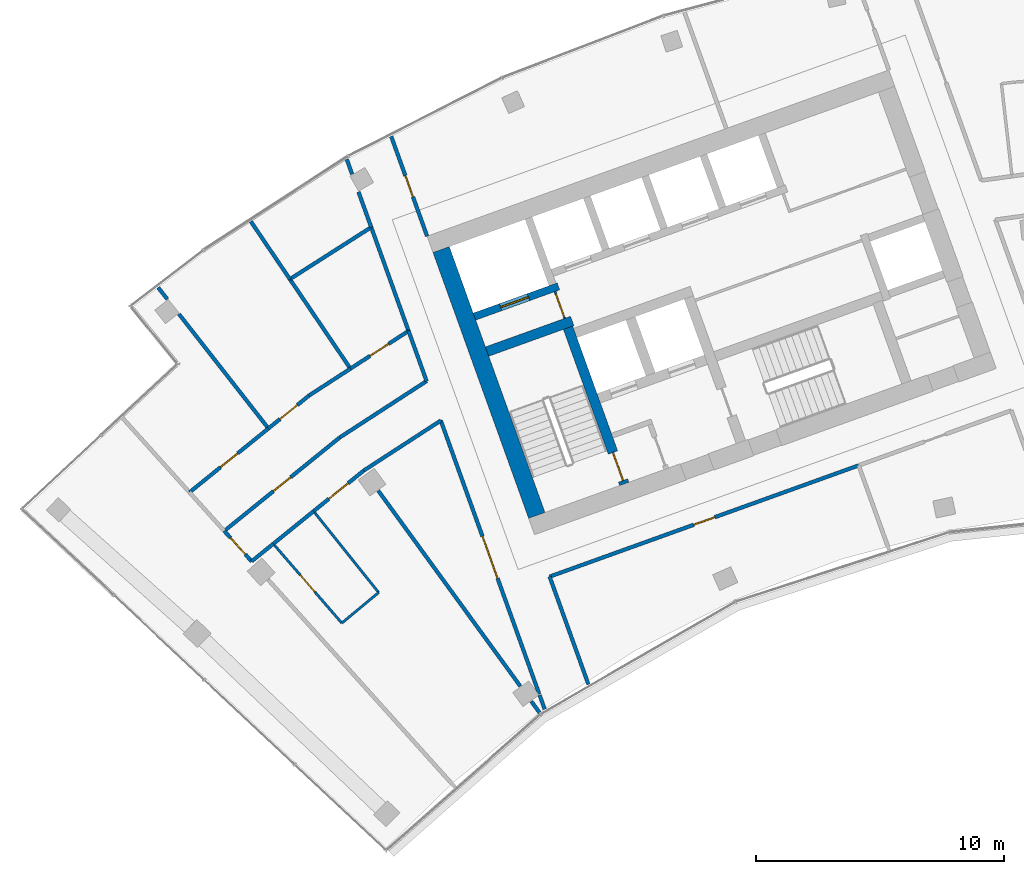
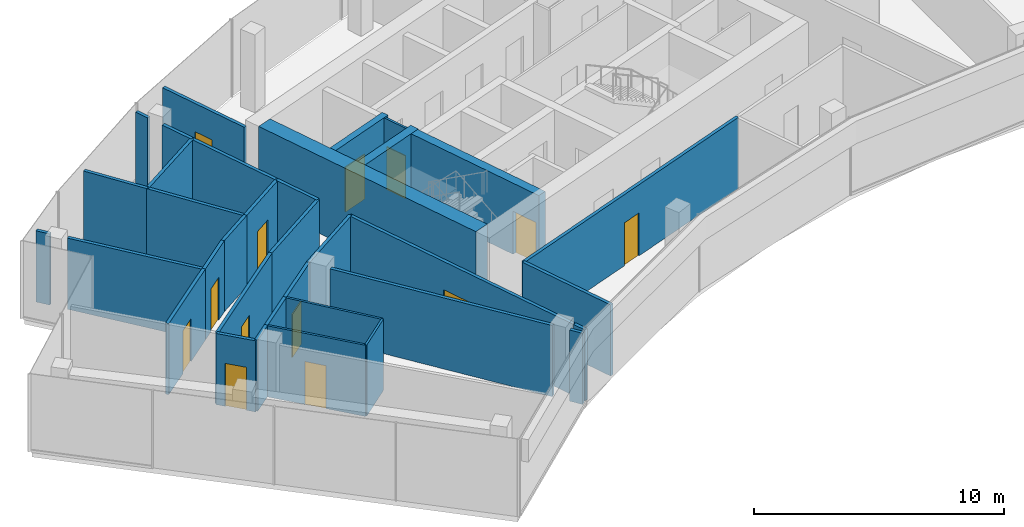
# One storey, part 12 of 18: 35 walls, 13 doors, 13 openings.
"""IFC4 building model written with IfcOpenShell, lengths in metres."""

from ifc_helpers import new_model, si_unit, direction, frame, frame_2d, origin, place, context, subcontext, project, spatial, rectangle, extrude, material, layer, layer_set, type_object, element, fill, save


model = new_model("IFC4")

# Units and contexts
model_context = context("Model", 3, precision=1e-05, world=origin(), true_north=direction((0.0, 1.0)))
body_context = subcontext(model_context, "Body", "Model", "MODEL_VIEW")
ifc_project = project(units=[si_unit("LENGTHUNIT", "METRE"), si_unit("AREAUNIT", "SQUARE_METRE"), si_unit("VOLUMEUNIT", "CUBIC_METRE"), si_unit("PLANEANGLEUNIT", "RADIAN"), si_unit("MASSUNIT", "GRAM", prefix="KILO")], contexts=[model_context])

# Site, building, storey
site_placement = place(None, origin())
site = spatial("IfcSite", under=ifc_project, at=site_placement, CompositionType="ELEMENT")
building_placement = place(site_placement, origin())
building = spatial("IfcBuilding", under=site, at=building_placement, Name="Stone Belt Terrace Tower", CompositionType="ELEMENT")
storey_placement = place(building_placement, frame((0.0, 0.0, 288.39990234375)))
storey = spatial("IfcBuildingStorey", under=building, at=storey_placement, Name="L70", CompositionType="ELEMENT", Elevation=288.39990234375)

# Wall, opening, door
ifc_material_1 = material(Name="Plasterboard partition")
ifc_layer_1 = layer(ifc_material_1, 0.10009765625)
ifc_layer_set_1 = layer_set([ifc_layer_1], Name="Core partition 100")
wall_type_1 = type_object("IfcWallType", Name="Core partition 100", PredefinedType="PARTITIONING", material=ifc_layer_set_1)
wall_1_placement = place(storey_placement, frame((-24.555908203125, 51.10400390625, 0.0), z_axis=(0.0, 0.0, 1.0), x_axis=(-0.338621735342, 0.94092258999, 0.0)))
wall_1 = element("IfcWall", 1, at=wall_1_placement, inside=storey, type_object=wall_type_1, Name="Core A wall", PredefinedType="PARTITIONING", context=body_context, shape_type="SweptSolid", body=[
    extrude(rectangle(XDim=1.14990234375, YDim=0.10009765625, at=frame_2d((0.574951171875, 0.0))), origin(), (0.0, 0.0, 1.0), 3.47998046875),
])
opening_1_placement = place(wall_1_placement, frame((0.050048828125, 0.0, 0.0)))
opening_1 = element("IfcOpeningElement", 2, at=opening_1_placement, cuts=wall_1, Name="Opening L70-C03", PredefinedType="OPENING", context=body_context, shape_type="SweptSolid", body=[
    extrude(rectangle(XDim=1.0, YDim=2.10009765625, at=frame_2d((0.5, 1.050048828125))), frame((0.0, 0.06005859375, 0.0), z_axis=(0.0, -1.0, 0.0), x_axis=(1.0, 0.0, 0.0)), (0.0, 0.0, 1.0), 0.1201171875),
])
ifc_material_2 = material(Name="Timber door leaf", Category="wood")
door_type_1 = type_object("IfcDoorType", Name="Core room door 1000", OperationType="SINGLE_SWING_LEFT", PredefinedType="DOOR", material=ifc_material_2)
door_1_placement = place(opening_1_placement, origin())
door_1 = element("IfcDoor", 3, at=door_1_placement, inside=storey, type_object=door_type_1, Name="Service lift lobby door core A", OperationType="SINGLE_SWING_RIGHT", OverallHeight=2.10009765625, OverallWidth=1.0, PredefinedType="DOOR", context=body_context, shape_type="SweptSolid", body=[
    extrude(rectangle(XDim=1.0, YDim=2.10009765625, at=frame_2d((0.5, 1.050048828125))), frame((0.0, 0.02490234375, 0.0), z_axis=(0.0, -1.0, 0.0), x_axis=(1.0, 0.0, 0.0)), (0.0, 0.0, 1.0), 0.050048828125),
])
fill(opening_1, door_1)

# Wall
ifc_material_3 = material(Name="Concrete B60", Category="concrete")
ifc_layer_2 = layer(ifc_material_3, 0.699951171875)
ifc_layer_set_2 = layer_set([ifc_layer_2], Name="Core wall 700 B60")
wall_type_2 = type_object("IfcWallType", Name="Core wall 700 B60", PredefinedType="SHEAR", material=ifc_layer_set_2)
wall_2_placement = place(storey_placement, frame((-25.679931640625, 43.153564453125, 0.0), z_axis=(0.0, 0.0, 1.0), x_axis=(-0.338625431531, 0.940921259788, 0.0)))
element("IfcWall", 4, at=wall_2_placement, inside=storey, type_object=wall_type_2, Name="Core A wall end_a L70", PredefinedType="SHEAR", context=body_context, shape_type="SweptSolid", body=[
    extrude(rectangle(XDim=11.400146484375, YDim=0.699951171875, at=frame_2d((5.7001953125, 0.0))), origin(), (0.0, 0.0, 1.0), 3.800048828125),
])

# Wall, opening, door
ifc_material_4 = material(Name="Concrete B80", Category="concrete")
ifc_layer_3 = layer(ifc_material_4, 0.300048828125)
ifc_layer_set_3 = layer_set([ifc_layer_3], Name="Lift shaft wall 300")
wall_type_3 = type_object("IfcWallType", Name="Lift shaft wall 300", PredefinedType="SHEAR", material=ifc_layer_set_3)
wall_3_placement = place(storey_placement, frame((-28.195068359375, 51.17578125, 0.0), z_axis=(0.0, 0.0, 1.0), x_axis=(0.940901243567, 0.338681044427, 0.0)))
wall_3 = element("IfcWall", 5, at=wall_3_placement, inside=storey, type_object=wall_type_3, Name="Core A wall", PredefinedType="SHEAR", context=body_context, shape_type="SweptSolid", body=[
    extrude(rectangle(XDim=3.599853515625, YDim=0.300048828125, at=frame_2d((1.7998046875, 0.0))), origin(), (0.0, 0.0, 1.0), 3.47998046875),
])
opening_2_placement = place(wall_3_placement, frame((1.1201171875, 0.0, 0.0)))
opening_2 = element("IfcOpeningElement", 6, at=opening_2_placement, cuts=wall_3, Name="Opening L70-LD07", PredefinedType="OPENING", context=body_context, shape_type="SweptSolid", body=[
    extrude(rectangle(XDim=1.199951171875, YDim=2.199951171875, at=frame_2d((0.60009765625, 1.10009765625))), frame((0.0, 0.159912109375, 0.0), z_axis=(0.0, -1.0, 0.0), x_axis=(1.0, 0.0, 0.0)), (0.0, 0.0, 1.0), 0.320068359375),
])
ifc_material_5 = material(Name="Stainless steel door leaf", Category="steel")
door_type_2 = type_object("IfcDoorType", Name="Landing door 1200", OperationType="SLIDING_TO_LEFT", PredefinedType="DOOR", material=ifc_material_5)
door_2_placement = place(opening_2_placement, origin())
door_2 = element("IfcDoor", 7, at=door_2_placement, inside=storey, type_object=door_type_2, Name="Landing door SV1 core A", OperationType="SLIDING_TO_LEFT", OverallHeight=2.199951171875, OverallWidth=1.199951171875, PredefinedType="DOOR", context=body_context, shape_type="SweptSolid", body=[
    extrude(rectangle(XDim=1.199951171875, YDim=2.199951171875, at=frame_2d((0.60009765625, 1.10009765625))), frame((0.0, 0.02490234375, 0.0), z_axis=(0.0, -1.0, 0.0), x_axis=(1.0, 0.0, 0.0)), (0.0, 0.0, 1.0), 0.050048828125),
])
fill(opening_2, door_2)

ifc_material_6 = material(Name="Gypsum board partition")
ifc_layer_4 = layer(ifc_material_6, 0.10009765625)
ifc_layer_set_4 = layer_set([ifc_layer_4], Name="PARTITION 100")
wall_type_4 = type_object("IfcWallType", Name="PARTITION 100", PredefinedType="PARTITIONING", material=ifc_layer_set_4)
wall_4_placement = place(storey_placement, frame((-36.31396484375, 42.007080078125, 0.0), z_axis=(0.0, 0.0, 1.0), x_axis=(0.654042132121, -0.756458121386, 0.0)))
wall_4 = element("IfcWall", 8, at=wall_4_placement, inside=storey, type_object=wall_type_4, Name="L70/wall/i046", PredefinedType="PARTITIONING", context=body_context, shape_type="SweptSolid", body=[
    extrude(rectangle(XDim=4.22900390625, YDim=0.10009765625, at=frame_2d((2.114501953125, 0.0))), origin(), (0.0, 0.0, 1.0), 3.47998046875),
])
opening_3_placement = place(wall_4_placement, frame((1.66455078125, 0.0, 0.0)))
opening_3 = element("IfcOpeningElement", 9, at=opening_3_placement, cuts=wall_4, Name="Opening D-E3-12", PredefinedType="OPENING", context=body_context, shape_type="SweptSolid", body=[
    extrude(rectangle(XDim=0.89990234375, YDim=2.10009765625, at=frame_2d((0.449951171875, 1.050048828125))), frame((0.0, 0.06005859375, 0.0), z_axis=(0.0, -1.0, 0.0), x_axis=(1.0, 0.0, 0.0)), (0.0, 0.0, 1.0), 0.1201171875),
])
door_type_3 = type_object("IfcDoorType", Name="OFFICE DOOR 900 X 2100", OperationType="NOTDEFINED", PredefinedType="DOOR", material=ifc_material_2)
door_3_placement = place(opening_3_placement, origin())
door_3 = element("IfcDoor", 10, at=door_3_placement, inside=storey, type_object=door_type_3, Name="L70/door/i12", OperationType="SINGLE_SWING_RIGHT", OverallHeight=2.10009765625, OverallWidth=0.89990234375, PredefinedType="DOOR", context=body_context, shape_type="SweptSolid", body=[
    extrude(rectangle(XDim=0.89990234375, YDim=2.10009765625, at=frame_2d((0.449951171875, 1.050048828125))), frame((0.0, 0.02490234375, 0.0), z_axis=(0.0, -1.0, 0.0), x_axis=(1.0, 0.0, 0.0)), (0.0, 0.0, 1.0), 0.050048828125),
])
fill(opening_3, door_3)

# Walls
wall_5_placement = place(storey_placement, frame((-33.548095703125, 38.80810546875, 0.0), z_axis=(0.0, 0.0, 1.0), x_axis=(0.768666471672, 0.639649791157, 0.0)))
element("IfcWall", 11, at=wall_5_placement, inside=storey, type_object=wall_type_4, Name="L70/wall/i047", PredefinedType="PARTITIONING", context=body_context, shape_type="SweptSolid", body=[
    extrude(rectangle(XDim=1.93212890625, YDim=0.10009765625, at=frame_2d((0.966064453125, 0.0))), origin(), (0.0, 0.0, 1.0), 3.47998046875),
])
wall_6_placement = place(storey_placement, frame((-32.06298828125, 40.0439453125, 0.0), z_axis=(0.0, 0.0, 1.0), x_axis=(-0.624950193121, 0.78066462461, 0.0)))
element("IfcWall", 12, at=wall_6_placement, inside=storey, type_object=wall_type_4, Name="L70/wall/i048", PredefinedType="PARTITIONING", context=body_context, shape_type="SweptSolid", body=[
    extrude(rectangle(XDim=4.200439453125, YDim=0.10009765625, at=frame_2d((2.10009765625, 0.0))), origin(), (0.0, 0.0, 1.0), 3.47998046875),
])
ifc_layer_5 = layer(ifc_material_6, 0.14990234375)
ifc_layer_set_5 = layer_set([ifc_layer_5], Name="PARTITION 150 EI 60")
wall_type_5 = type_object("IfcWallType", Name="PARTITION 150 EI 60", PredefinedType="PARTITIONING", material=ifc_layer_set_5)
wall_7_placement = place(storey_placement, frame((-25.1650390625, 40.68896484375, 0.0), z_axis=(0.0, 0.0, 1.0), x_axis=(0.338609342271, -0.94092704995, 0.0)))
element("IfcWall", 13, at=wall_7_placement, inside=storey, type_object=wall_type_5, Name="L70/wall/i001", PredefinedType="PARTITIONING", context=body_context, shape_type="SweptSolid", body=[
    extrude(rectangle(XDim=4.6318359375, YDim=0.14990234375, at=frame_2d((2.31591796875, 0.0))), origin(), (0.0, 0.0, 1.0), 3.47998046875),
])

# Wall, opening, door
wall_8_placement = place(storey_placement, frame((-31.556884765625, 58.4521484375, 0.0), z_axis=(0.0, 0.0, 1.0), x_axis=(0.338580264222, -0.940937513695, 0.0)))
wall_8 = element("IfcWall", 14, at=wall_8_placement, inside=storey, type_object=wall_type_5, Name="L70/wall/i002", PredefinedType="PARTITIONING", context=body_context, shape_type="SweptSolid", body=[
    extrude(rectangle(XDim=4.285400390625, YDim=0.14990234375, at=frame_2d((2.142578125, 0.0))), origin(), (0.0, 0.0, 1.0), 3.47998046875),
])
opening_4_placement = place(wall_8_placement, frame((1.692626953125, 0.0, 0.0)))
opening_4 = element("IfcOpeningElement", 15, at=opening_4_placement, cuts=wall_8, Name="Opening D-E3-03", PredefinedType="OPENING", context=body_context, shape_type="SweptSolid", body=[
    extrude(rectangle(XDim=0.89990234375, YDim=2.10009765625, at=frame_2d((0.449951171875, 1.050048828125))), frame((0.0, 0.0849609375, 0.0), z_axis=(0.0, -1.0, 0.0), x_axis=(1.0, 0.0, 0.0)), (0.0, 0.0, 1.0), 0.169921875),
])
door_4_placement = place(opening_4_placement, origin())
door_4 = element("IfcDoor", 16, at=door_4_placement, inside=storey, type_object=door_type_3, Name="L70/door/i03", OperationType="SINGLE_SWING_RIGHT", OverallHeight=2.10009765625, OverallWidth=0.89990234375, PredefinedType="DOOR", context=body_context, shape_type="SweptSolid", body=[
    extrude(rectangle(XDim=0.89990234375, YDim=2.10009765625, at=frame_2d((0.449951171875, 1.050048828125))), frame((0.0, 0.02490234375, 0.0), z_axis=(0.0, -1.0, 0.0), x_axis=(1.0, 0.0, 0.0)), (0.0, 0.0, 1.0), 0.050048828125),
])
fill(opening_4, door_4)

# Wall
wall_9_placement = place(storey_placement, frame((-25.361083984375, 35.329833984375, 0.0), z_axis=(0.0, 0.0, 1.0), x_axis=(-0.338633814852, 0.940918242696, 0.0)))
element("IfcWall", 17, at=wall_9_placement, inside=storey, type_object=wall_type_5, Name="L70/wall/i003", PredefinedType="PARTITIONING", context=body_context, shape_type="SweptSolid", body=[
    extrude(rectangle(XDim=0.605712890625, YDim=0.14990234375, at=frame_2d((0.302734375, 0.0))), origin(), (0.0, 0.0, 1.0), 3.47998046875),
])

# Wall, opening, door
wall_10_placement = place(storey_placement, frame((-25.5810546875, 35.94091796875, 0.0), z_axis=(0.0, 0.0, 1.0), x_axis=(-0.338660555828, 0.940908618265, 0.0)))
wall_10 = element("IfcWall", 18, at=wall_10_placement, inside=storey, type_object=wall_type_5, Name="L70/wall/i004", PredefinedType="PARTITIONING", context=body_context, shape_type="SweptSolid", body=[
    extrude(rectangle(XDim=11.73974609375, YDim=0.14990234375, at=frame_2d((5.869873046875, 0.0))), origin(), (0.0, 0.0, 1.0), 3.47998046875),
])
opening_5_placement = place(wall_10_placement, frame((4.969970703125, 0.0, 0.0)))
opening_5 = element("IfcOpeningElement", 19, at=opening_5_placement, cuts=wall_10, Name="Opening D-E3-10", PredefinedType="OPENING", context=body_context, shape_type="SweptSolid", body=[
    extrude(rectangle(XDim=1.800048828125, YDim=2.10009765625, at=frame_2d((0.89990234375, 1.050048828125))), frame((0.0, 0.0849609375, 0.0), z_axis=(0.0, -1.0, 0.0), x_axis=(1.0, 0.0, 0.0)), (0.0, 0.0, 1.0), 0.169921875),
])
door_type_4 = type_object("IfcDoorType", Name="DOUBLE DOOR 1800 X 2100", OperationType="DOUBLE_DOOR_SINGLE_SWING", PredefinedType="DOOR", material=ifc_material_2)
door_5_placement = place(opening_5_placement, origin())
door_5 = element("IfcDoor", 20, at=door_5_placement, inside=storey, type_object=door_type_4, Name="L70/door/i10", OperationType="DOUBLE_DOOR_SINGLE_SWING", OverallHeight=2.10009765625, OverallWidth=1.800048828125, PredefinedType="DOOR", context=body_context, shape_type="SweptSolid", body=[
    extrude(rectangle(XDim=1.800048828125, YDim=2.10009765625, at=frame_2d((0.89990234375, 1.050048828125))), frame((0.0, 0.02490234375, 0.0), z_axis=(0.0, -1.0, 0.0), x_axis=(1.0, 0.0, 0.0)), (0.0, 0.0, 1.0), 0.050048828125),
])
fill(opening_5, door_5)

# Walls
wall_11_placement = place(storey_placement, frame((-30.1259765625, 48.568115234375, 0.0), z_axis=(0.0, 0.0, 1.0), x_axis=(-0.338315840616, 0.941032620045, 0.0)))
element("IfcWall", 21, at=wall_11_placement, inside=storey, type_object=wall_type_5, Name="L70/wall/i005", PredefinedType="PARTITIONING", context=body_context, shape_type="SweptSolid", body=[
    extrude(rectangle(XDim=2.16357421875, YDim=0.14990234375, at=frame_2d((1.081787109375, 0.0))), origin(), (0.0, 0.0, 1.0), 3.47998046875),
])
wall_12_placement = place(storey_placement, frame((-30.85400390625, 50.592041015625, 0.0), z_axis=(0.0, 0.0, 1.0), x_axis=(-0.338676809605, 0.940902767897, 0.0)))
element("IfcWall", 22, at=wall_12_placement, inside=storey, type_object=wall_type_5, Name="L70/wall/i006", PredefinedType="PARTITIONING", context=body_context, shape_type="SweptSolid", body=[
    extrude(rectangle(XDim=4.45849609375, YDim=0.14990234375, at=frame_2d((2.229248046875, 0.0))), origin(), (0.0, 0.0, 1.0), 3.47998046875),
])
wall_13_placement = place(storey_placement, frame((-32.360107421875, 54.77490234375, 0.0), z_axis=(0.0, 0.0, 1.0), x_axis=(-0.338469522462, 0.940977354863, 0.0)))
element("IfcWall", 23, at=wall_13_placement, inside=storey, type_object=wall_type_5, Name="L70/wall/i007", PredefinedType="PARTITIONING", context=body_context, shape_type="SweptSolid", body=[
    extrude(rectangle(XDim=1.52197265625, YDim=0.14990234375, at=frame_2d((0.760986328125, 0.0))), origin(), (0.0, 0.0, 1.0), 3.47998046875),
])
wall_14_placement = place(storey_placement, frame((-33.134765625, 56.928466796875, 0.0), z_axis=(0.0, 0.0, 1.0), x_axis=(-0.338733145318, 0.94088248802, 0.0)))
element("IfcWall", 24, at=wall_14_placement, inside=storey, type_object=wall_type_5, Name="L70/wall/i008", PredefinedType="PARTITIONING", context=body_context, shape_type="SweptSolid", body=[
    extrude(rectangle(XDim=0.632080078125, YDim=0.14990234375, at=frame_2d((0.31591796875, 0.0))), origin(), (0.0, 0.0, 1.0), 3.47998046875),
])

# Wall, opening, door
wall_15_placement = place(storey_placement, frame((-12.68798828125, 45.173095703125, 0.0), z_axis=(0.0, 0.0, 1.0), x_axis=(-0.940912526234, -0.338649698031, 0.0)))
wall_15 = element("IfcWall", 25, at=wall_15_placement, inside=storey, type_object=wall_type_5, Name="L70/wall/i013", PredefinedType="PARTITIONING", context=body_context, shape_type="SweptSolid", body=[
    extrude(rectangle(XDim=13.258544921875, YDim=0.14990234375, at=frame_2d((6.62939453125, 0.0))), origin(), (0.0, 0.0, 1.0), 3.47998046875),
])
opening_6_placement = place(wall_15_placement, frame((6.17919921875, 0.0, 0.0)))
opening_6 = element("IfcOpeningElement", 26, at=opening_6_placement, cuts=wall_15, Name="Opening D-E3-01", PredefinedType="OPENING", context=body_context, shape_type="SweptSolid", body=[
    extrude(rectangle(XDim=0.89990234375, YDim=2.10009765625, at=frame_2d((0.449951171875, 1.050048828125))), frame((0.0, 0.0849609375, 0.0), z_axis=(0.0, -1.0, 0.0), x_axis=(1.0, 0.0, 0.0)), (0.0, 0.0, 1.0), 0.169921875),
])
door_6_placement = place(opening_6_placement, origin())
door_6 = element("IfcDoor", 27, at=door_6_placement, inside=storey, type_object=door_type_3, Name="L70/door/i01", OperationType="SINGLE_SWING_RIGHT", OverallHeight=2.10009765625, OverallWidth=0.89990234375, PredefinedType="DOOR", context=body_context, shape_type="SweptSolid", body=[
    extrude(rectangle(XDim=0.89990234375, YDim=2.10009765625, at=frame_2d((0.449951171875, 1.050048828125))), frame((0.0, 0.02490234375, 0.0), z_axis=(0.0, -1.0, 0.0), x_axis=(1.0, 0.0, 0.0)), (0.0, 0.0, 1.0), 0.050048828125),
])
fill(opening_6, door_6)

wall_16_placement = place(storey_placement, frame((-37.18310546875, 41.294921875, 0.0), z_axis=(0.0, 0.0, 1.0), x_axis=(-0.669037778615, 0.743228397456, 0.0)))
wall_16 = element("IfcWall", 28, at=wall_16_placement, inside=storey, type_object=wall_type_5, Name="L70/wall/i034", PredefinedType="PARTITIONING", context=body_context, shape_type="SweptSolid", body=[
    extrude(rectangle(XDim=1.661865234375, YDim=0.14990234375, at=frame_2d((0.8310546875, 0.0))), origin(), (0.0, 0.0, 1.0), 3.47998046875),
])
opening_7_placement = place(wall_16_placement, frame((0.380859375, 0.0, 0.0)))
opening_7 = element("IfcOpeningElement", 29, at=opening_7_placement, cuts=wall_16, Name="Opening D-E3-09", PredefinedType="OPENING", context=body_context, shape_type="SweptSolid", body=[
    extrude(rectangle(XDim=0.89990234375, YDim=2.10009765625, at=frame_2d((0.449951171875, 1.050048828125))), frame((0.0, 0.0849609375, 0.0), z_axis=(0.0, -1.0, 0.0), x_axis=(1.0, 0.0, 0.0)), (0.0, 0.0, 1.0), 0.169921875),
])
door_7_placement = place(opening_7_placement, origin())
door_7 = element("IfcDoor", 30, at=door_7_placement, inside=storey, type_object=door_type_3, Name="L70/door/i09", OperationType="SINGLE_SWING_RIGHT", OverallHeight=2.10009765625, OverallWidth=0.89990234375, PredefinedType="DOOR", context=body_context, shape_type="SweptSolid", body=[
    extrude(rectangle(XDim=0.89990234375, YDim=2.10009765625, at=frame_2d((0.449951171875, 1.050048828125))), frame((0.0, 0.02490234375, 0.0), z_axis=(0.0, -1.0, 0.0), x_axis=(1.0, 0.0, 0.0)), (0.0, 0.0, 1.0), 0.050048828125),
])
fill(opening_7, door_7)

# Walls
wall_17_placement = place(storey_placement, frame((-29.554931640625, 46.98095703125, 0.0), z_axis=(0.0, 0.0, 1.0), x_axis=(-0.838712683411, -0.544574177395, 0.0)))
element("IfcWall", 31, at=wall_17_placement, inside=storey, type_object=wall_type_5, Name="L70/wall/i038", PredefinedType="PARTITIONING", context=body_context, shape_type="SweptSolid", body=[
    extrude(rectangle(XDim=3.70947265625, YDim=0.14990234375, at=frame_2d((1.854736328125, 0.0))), origin(), (0.0, 0.0, 1.0), 3.47998046875),
])
wall_18_placement = place(storey_placement, frame((-36.31005859375, 42.010986328125, 0.0), z_axis=(0.0, 0.0, 1.0), x_axis=(-0.77680149555, -0.629745533141, 0.0)))
element("IfcWall", 32, at=wall_18_placement, inside=storey, type_object=wall_type_5, Name="L70/wall/i039", PredefinedType="PARTITIONING", context=body_context, shape_type="SweptSolid", body=[
    extrude(rectangle(XDim=1.12890625, YDim=0.14990234375, at=frame_2d((0.564453125, 0.0))), origin(), (0.0, 0.0, 1.0), 3.47998046875),
])

# Wall, opening, door
wall_19_placement = place(storey_placement, frame((-32.666015625, 44.9609375, 0.0), z_axis=(0.0, 0.0, 1.0), x_axis=(-0.777266670471, -0.629171298595, 0.0)))
wall_19 = element("IfcWall", 33, at=wall_19_placement, inside=storey, type_object=wall_type_5, Name="L70/wall/i040", PredefinedType="PARTITIONING", context=body_context, shape_type="SweptSolid", body=[
    extrude(rectangle(XDim=2.60791015625, YDim=0.14990234375, at=frame_2d((1.303955078125, 0.0))), origin(), (0.0, 0.0, 1.0), 3.47998046875),
])
opening_8_placement = place(wall_19_placement, frame((0.803955078125, 0.0, 0.0)))
opening_8 = element("IfcOpeningElement", 34, at=opening_8_placement, cuts=wall_19, Name="Opening D-E3-11", PredefinedType="OPENING", context=body_context, shape_type="SweptSolid", body=[
    extrude(rectangle(XDim=1.0, YDim=2.10009765625, at=frame_2d((0.5, 1.050048828125))), frame((0.0, 0.0849609375, 0.0), z_axis=(0.0, -1.0, 0.0), x_axis=(1.0, 0.0, 0.0)), (0.0, 0.0, 1.0), 0.169921875),
])
ifc_material_7 = material(Name="Timber fire door leaf", Category="wood")
door_type_5 = type_object("IfcDoorType", Name="TENANCY ENTRANCE DOOR 1000 X 2100", OperationType="NOTDEFINED", PredefinedType="DOOR", material=ifc_material_7)
door_8_placement = place(opening_8_placement, origin())
door_8 = element("IfcDoor", 35, at=door_8_placement, inside=storey, type_object=door_type_5, Name="L70/door/i11", OperationType="SINGLE_SWING_RIGHT", OverallHeight=2.10009765625, OverallWidth=1.0, PredefinedType="DOOR", context=body_context, shape_type="SweptSolid", body=[
    extrude(rectangle(XDim=1.0, YDim=2.10009765625, at=frame_2d((0.5, 1.050048828125))), frame((0.0, 0.02490234375, 0.0), z_axis=(0.0, -1.0, 0.0), x_axis=(1.0, 0.0, 0.0)), (0.0, 0.0, 1.0), 0.050048828125),
])
fill(opening_8, door_8)

# Wall
wall_20_placement = place(storey_placement, frame((-34.68408203125, 43.326904296875, 0.0), z_axis=(0.0, 0.0, 1.0), x_axis=(-0.77715298026, -0.629311723451, 0.0)))
element("IfcWall", 36, at=wall_20_placement, inside=storey, type_object=wall_type_5, Name="L70/wall/i041", PredefinedType="PARTITIONING", context=body_context, shape_type="SweptSolid", body=[
    extrude(rectangle(XDim=2.103759765625, YDim=0.14990234375, at=frame_2d((1.0517578125, 0.0))), origin(), (0.0, 0.0, 1.0), 3.47998046875),
])

# Wall, opening, door
wall_21_placement = place(storey_placement, frame((-38.291015625, 42.52587890625, 0.0), z_axis=(0.0, 0.0, 1.0), x_axis=(0.777109127033, 0.629365875054, 0.0)))
wall_21 = element("IfcWall", 37, at=wall_21_placement, inside=storey, type_object=wall_type_5, Name="L70/wall/i042", PredefinedType="PARTITIONING", context=body_context, shape_type="SweptSolid", body=[
    extrude(rectangle(XDim=5.990234375, YDim=0.14990234375, at=frame_2d((2.9951171875, 0.0))), origin(), (0.0, 0.0, 1.0), 3.47998046875),
])
opening_9_placement = place(wall_21_placement, frame((2.545166015625, 0.0, 0.0)))
opening_9 = element("IfcOpeningElement", 38, at=opening_9_placement, cuts=wall_21, Name="Opening D-E3-13", PredefinedType="OPENING", context=body_context, shape_type="SweptSolid", body=[
    extrude(rectangle(XDim=0.89990234375, YDim=2.10009765625, at=frame_2d((0.449951171875, 1.050048828125))), frame((0.0, 0.0849609375, 0.0), z_axis=(0.0, -1.0, 0.0), x_axis=(1.0, 0.0, 0.0)), (0.0, 0.0, 1.0), 0.169921875),
])
door_9_placement = place(opening_9_placement, origin())
door_9 = element("IfcDoor", 39, at=door_9_placement, inside=storey, type_object=door_type_3, Name="L70/door/i13", OperationType="SINGLE_SWING_RIGHT", OverallHeight=2.10009765625, OverallWidth=0.89990234375, PredefinedType="DOOR", context=body_context, shape_type="SweptSolid", body=[
    extrude(rectangle(XDim=0.89990234375, YDim=2.10009765625, at=frame_2d((0.449951171875, 1.050048828125))), frame((0.0, 0.02490234375, 0.0), z_axis=(0.0, -1.0, 0.0), x_axis=(1.0, 0.0, 0.0)), (0.0, 0.0, 1.0), 0.050048828125),
])
fill(opening_9, door_9)

# Walls
wall_22_placement = place(storey_placement, frame((-33.635986328125, 46.2958984375, 0.0), z_axis=(0.0, 0.0, 1.0), x_axis=(0.838679571288, 0.544625170832, 0.0)))
element("IfcWall", 40, at=wall_22_placement, inside=storey, type_object=wall_type_5, Name="L70/wall/i043", PredefinedType="PARTITIONING", context=body_context, shape_type="SweptSolid", body=[
    extrude(rectangle(XDim=4.182861328125, YDim=0.14990234375, at=frame_2d((2.09130859375, 0.0))), origin(), (0.0, 0.0, 1.0), 3.47998046875),
])
wall_23_placement = place(storey_placement, frame((-25.568115234375, 35.192138671875, 0.0), z_axis=(0.0, 0.0, 1.0), x_axis=(-0.588120346537, 0.808773428093, 0.0)))
element("IfcWall", 41, at=wall_23_placement, inside=storey, type_object=wall_type_5, Name="L70/wall/i044", PredefinedType="PARTITIONING", context=body_context, shape_type="SweptSolid", body=[
    extrude(rectangle(XDim=0.5654296875, YDim=0.14990234375, at=frame_2d((0.28271484375, 0.0))), origin(), (0.0, 0.0, 1.0), 3.47998046875),
])
wall_24_placement = place(storey_placement, frame((-26.34716796875, 36.264404296875, 0.0), z_axis=(0.0, 0.0, 1.0), x_axis=(-0.587809662232, 0.808999258953, 0.0)))
element("IfcWall", 42, at=wall_24_placement, inside=storey, type_object=wall_type_5, Name="L70/wall/i045", PredefinedType="PARTITIONING", context=body_context, shape_type="SweptSolid", body=[
    extrude(rectangle(XDim=9.7451171875, YDim=0.14990234375, at=frame_2d((4.87255859375, 0.0))), origin(), (0.0, 0.0, 1.0), 3.47998046875),
])

# Wall, opening, door
wall_25_placement = place(storey_placement, frame((-39.694091796875, 44.0849609375, 0.0), z_axis=(0.0, 0.0, 1.0), x_axis=(0.777210230824, 0.629241016703, 0.0)))
wall_25 = element("IfcWall", 43, at=wall_25_placement, inside=storey, type_object=wall_type_5, Name="L70/wall/i049", PredefinedType="PARTITIONING", context=body_context, shape_type="SweptSolid", body=[
    extrude(rectangle(XDim=4.103515625, YDim=0.14990234375, at=frame_2d((2.0517578125, 0.0))), origin(), (0.0, 0.0, 1.0), 3.47998046875),
])
opening_10_placement = place(wall_25_placement, frame((1.6015625, 0.0, 0.0)))
opening_10 = element("IfcOpeningElement", 44, at=opening_10_placement, cuts=wall_25, Name="Opening D-E3-14", PredefinedType="OPENING", context=body_context, shape_type="SweptSolid", body=[
    extrude(rectangle(XDim=0.89990234375, YDim=2.10009765625, at=frame_2d((0.449951171875, 1.050048828125))), frame((0.0, 0.0849609375, 0.0), z_axis=(0.0, -1.0, 0.0), x_axis=(1.0, 0.0, 0.0)), (0.0, 0.0, 1.0), 0.169921875),
])
door_10_placement = place(opening_10_placement, origin())
door_10 = element("IfcDoor", 45, at=door_10_placement, inside=storey, type_object=door_type_3, Name="L70/door/i14", OperationType="SINGLE_SWING_RIGHT", OverallHeight=2.10009765625, OverallWidth=0.89990234375, PredefinedType="DOOR", context=body_context, shape_type="SweptSolid", body=[
    extrude(rectangle(XDim=0.89990234375, YDim=2.10009765625, at=frame_2d((0.449951171875, 1.050048828125))), frame((0.0, 0.02490234375, 0.0), z_axis=(0.0, -1.0, 0.0), x_axis=(1.0, 0.0, 0.0)), (0.0, 0.0, 1.0), 0.050048828125),
])
fill(opening_10, door_10)

wall_26_placement = place(storey_placement, frame((-36.513916015625, 46.659912109375, 0.0), z_axis=(0.0, 0.0, 1.0), x_axis=(0.777164283985, 0.629297763939, 0.0)))
wall_26 = element("IfcWall", 46, at=wall_26_placement, inside=storey, type_object=wall_type_5, Name="L70/wall/i050", PredefinedType="PARTITIONING", context=body_context, shape_type="SweptSolid", body=[
    extrude(rectangle(XDim=2.11669921875, YDim=0.14990234375, at=frame_2d((1.058349609375, 0.0))), origin(), (0.0, 0.0, 1.0), 3.47998046875),
])
opening_11_placement = place(wall_26_placement, frame((0.6083984375, 0.0, 0.0)))
opening_11 = element("IfcOpeningElement", 47, at=opening_11_placement, cuts=wall_26, Name="Opening D-E3-15", PredefinedType="OPENING", context=body_context, shape_type="SweptSolid", body=[
    extrude(rectangle(XDim=0.89990234375, YDim=2.10009765625, at=frame_2d((0.449951171875, 1.050048828125))), frame((0.0, 0.0849609375, 0.0), z_axis=(0.0, -1.0, 0.0), x_axis=(1.0, 0.0, 0.0)), (0.0, 0.0, 1.0), 0.169921875),
])
door_11_placement = place(opening_11_placement, origin())
door_11 = element("IfcDoor", 48, at=door_11_placement, inside=storey, type_object=door_type_3, Name="L70/door/i15", OperationType="SINGLE_SWING_RIGHT", OverallHeight=2.10009765625, OverallWidth=0.89990234375, PredefinedType="DOOR", context=body_context, shape_type="SweptSolid", body=[
    extrude(rectangle(XDim=0.89990234375, YDim=2.10009765625, at=frame_2d((0.449951171875, 1.050048828125))), frame((0.0, 0.02490234375, 0.0), z_axis=(0.0, -1.0, 0.0), x_axis=(1.0, 0.0, 0.0)), (0.0, 0.0, 1.0), 0.050048828125),
])
fill(opening_11, door_11)

# Wall
wall_27_placement = place(storey_placement, frame((-34.868896484375, 47.991943359375, 0.0), z_axis=(0.0, 0.0, 1.0), x_axis=(0.838767892149, 0.544489139562, 0.0)))
element("IfcWall", 49, at=wall_27_placement, inside=storey, type_object=wall_type_5, Name="L70/wall/i051", PredefinedType="PARTITIONING", context=body_context, shape_type="SweptSolid", body=[
    extrude(rectangle(XDim=1.994384765625, YDim=0.14990234375, at=frame_2d((0.9970703125, 0.0))), origin(), (0.0, 0.0, 1.0), 3.47998046875),
])

# Wall, opening, door
wall_28_placement = place(storey_placement, frame((-33.2060546875, 49.072021484375, 0.0), z_axis=(0.0, 0.0, 1.0), x_axis=(0.838718223529, 0.544565644822, 0.0)))
wall_28 = element("IfcWall", 50, at=wall_28_placement, inside=storey, type_object=wall_type_5, Name="L70/wall/i052", PredefinedType="PARTITIONING", context=body_context, shape_type="SweptSolid", body=[
    extrude(rectangle(XDim=2.802001953125, YDim=0.14990234375, at=frame_2d((1.40087890625, 0.0))), origin(), (0.0, 0.0, 1.0), 3.47998046875),
])
opening_12_placement = place(wall_28_placement, frame((0.950927734375, 0.0, 0.0)))
opening_12 = element("IfcOpeningElement", 51, at=opening_12_placement, cuts=wall_28, Name="Opening D-E3-16", PredefinedType="OPENING", context=body_context, shape_type="SweptSolid", body=[
    extrude(rectangle(XDim=0.89990234375, YDim=2.10009765625, at=frame_2d((0.449951171875, 1.050048828125))), frame((0.0, 0.0849609375, 0.0), z_axis=(0.0, -1.0, 0.0), x_axis=(1.0, 0.0, 0.0)), (0.0, 0.0, 1.0), 0.169921875),
])
door_12_placement = place(opening_12_placement, origin())
door_12 = element("IfcDoor", 52, at=door_12_placement, inside=storey, type_object=door_type_3, Name="L70/door/i16", OperationType="SINGLE_SWING_RIGHT", OverallHeight=2.10009765625, OverallWidth=0.89990234375, PredefinedType="DOOR", context=body_context, shape_type="SweptSolid", body=[
    extrude(rectangle(XDim=0.89990234375, YDim=2.10009765625, at=frame_2d((0.449951171875, 1.050048828125))), frame((0.0, 0.02490234375, 0.0), z_axis=(0.0, -1.0, 0.0), x_axis=(1.0, 0.0, 0.0)), (0.0, 0.0, 1.0), 0.050048828125),
])
fill(opening_12, door_12)

# Walls
wall_29_placement = place(storey_placement, frame((-40.963623046875, 52.356689453125, 0.0), z_axis=(0.0, 0.0, 1.0), x_axis=(0.616134966401, -0.787640592642, 0.0)))
element("IfcWall", 53, at=wall_29_placement, inside=storey, type_object=wall_type_5, Name="L70/wall/i053", PredefinedType="PARTITIONING", context=body_context, shape_type="SweptSolid", body=[
    extrude(rectangle(XDim=0.60791015625, YDim=0.14990234375, at=frame_2d((0.303955078125, 0.0))), origin(), (0.0, 0.0, 1.0), 3.47998046875),
])
wall_30_placement = place(storey_placement, frame((-40.120849609375, 51.279541015625, 0.0), z_axis=(0.0, 0.0, 1.0), x_axis=(0.616173451087, -0.787610486329, 0.0)))
element("IfcWall", 54, at=wall_30_placement, inside=storey, type_object=wall_type_5, Name="L70/wall/i054", PredefinedType="PARTITIONING", context=body_context, shape_type="SweptSolid", body=[
    extrude(rectangle(XDim=5.860107421875, YDim=0.14990234375, at=frame_2d((2.93017578125, 0.0))), origin(), (0.0, 0.0, 1.0), 3.47998046875),
])
wall_31_placement = place(storey_placement, frame((-35.64697265625, 52.69091796875, 0.0), z_axis=(0.0, 0.0, 1.0), x_axis=(0.560301468636, -0.82828875656, 0.0)))
element("IfcWall", 55, at=wall_31_placement, inside=storey, type_object=wall_type_5, Name="L70/wall/i055", PredefinedType="PARTITIONING", context=body_context, shape_type="SweptSolid", body=[
    extrude(rectangle(XDim=4.365478515625, YDim=0.14990234375, at=frame_2d((2.1826171875, 0.0))), origin(), (0.0, 0.0, 1.0), 3.47998046875),
])
wall_32_placement = place(storey_placement, frame((-37.218017578125, 55.013916015625, 0.0), z_axis=(0.0, 0.0, 1.0), x_axis=(0.56028837955, -0.828297610609, 0.0)))
element("IfcWall", 56, at=wall_32_placement, inside=storey, type_object=wall_type_5, Name="L70/wall/i056", PredefinedType="PARTITIONING", context=body_context, shape_type="SweptSolid", body=[
    extrude(rectangle(XDim=2.816650390625, YDim=0.14990234375, at=frame_2d((1.408203125, 0.0))), origin(), (0.0, 0.0, 1.0), 3.47998046875),
])
wall_33_placement = place(storey_placement, frame((-35.64404296875, 52.68603515625, 0.0), z_axis=(0.0, 0.0, 1.0), x_axis=(0.842911923686, 0.538051567146, 0.0)))
element("IfcWall", 57, at=wall_33_placement, inside=storey, type_object=wall_type_5, Name="L70/wall/i057", PredefinedType="PARTITIONING", context=body_context, shape_type="SweptSolid", body=[
    extrude(rectangle(XDim=3.8935546875, YDim=0.14990234375, at=frame_2d((1.94677734375, 0.0))), origin(), (0.0, 0.0, 1.0), 3.47998046875),
])
ifc_layer_6 = layer(ifc_material_4, 0.39990234375)
ifc_layer_set_6 = layer_set([ifc_layer_6], Name="Stair enclosure wall 400")
wall_type_6 = type_object("IfcWallType", Name="Stair enclosure wall 400", PredefinedType="SHEAR", material=ifc_layer_set_6)
wall_34_placement = place(storey_placement, frame((-27.687255859375, 49.764404296875, 0.0), z_axis=(0.0, 0.0, 1.0), x_axis=(0.940918954884, 0.338631835981, 0.0)))
element("IfcWall", 58, at=wall_34_placement, inside=storey, type_object=wall_type_6, Name="Core A wall", PredefinedType="SHEAR", context=body_context, shape_type="SweptSolid", body=[
    extrude(rectangle(XDim=3.650146484375, YDim=0.39990234375, at=frame_2d((1.8251953125, 0.0))), origin(), (0.0, 0.0, 1.0), 3.47998046875),
])

# Wall, opening, door
wall_35_placement = place(storey_placement, frame((-22.151611328125, 44.42333984375, 0.0), z_axis=(0.0, 0.0, 1.0), x_axis=(-0.338625272931, 0.940921316866, 0.0)))
wall_35 = element("IfcWall", 59, at=wall_35_placement, inside=storey, type_object=wall_type_6, Name="Core A wall", PredefinedType="SHEAR", context=body_context, shape_type="SweptSolid", body=[
    extrude(rectangle(XDim=6.699951171875, YDim=0.39990234375, at=frame_2d((3.35009765625, 0.0))), origin(), (0.0, 0.0, 1.0), 3.47998046875),
])
opening_13_placement = place(wall_35_placement, frame((0.14990234375, 0.0, 0.0)))
opening_13 = element("IfcOpeningElement", 60, at=opening_13_placement, cuts=wall_35, Name="Opening L70-C05", PredefinedType="OPENING", context=body_context, shape_type="SweptSolid", body=[
    extrude(rectangle(XDim=1.199951171875, YDim=2.10009765625, at=frame_2d((0.60009765625, 1.050048828125))), frame((0.0, 0.2099609375, 0.0), z_axis=(0.0, -1.0, 0.0), x_axis=(1.0, 0.0, 0.0)), (0.0, 0.0, 1.0), 0.419921875),
])
ifc_material_8 = material(Name="Steel door leaf", Category="steel")
door_type_6 = type_object("IfcDoorType", Name="Stair door 1200", OperationType="SINGLE_SWING_LEFT", PredefinedType="DOOR", material=ifc_material_8)
door_13_placement = place(opening_13_placement, origin())
door_13 = element("IfcDoor", 61, at=door_13_placement, inside=storey, type_object=door_type_6, Name="Stair 1 door core A", OperationType="SINGLE_SWING_RIGHT", OverallHeight=2.10009765625, OverallWidth=1.199951171875, PredefinedType="DOOR", context=body_context, shape_type="SweptSolid", body=[
    extrude(rectangle(XDim=1.199951171875, YDim=2.10009765625, at=frame_2d((0.60009765625, 1.050048828125))), frame((0.0, 0.02490234375, 0.0), z_axis=(0.0, -1.0, 0.0), x_axis=(1.0, 0.0, 0.0)), (0.0, 0.0, 1.0), 0.050048828125),
])
fill(opening_13, door_13)

save(model, "model.ifc")
